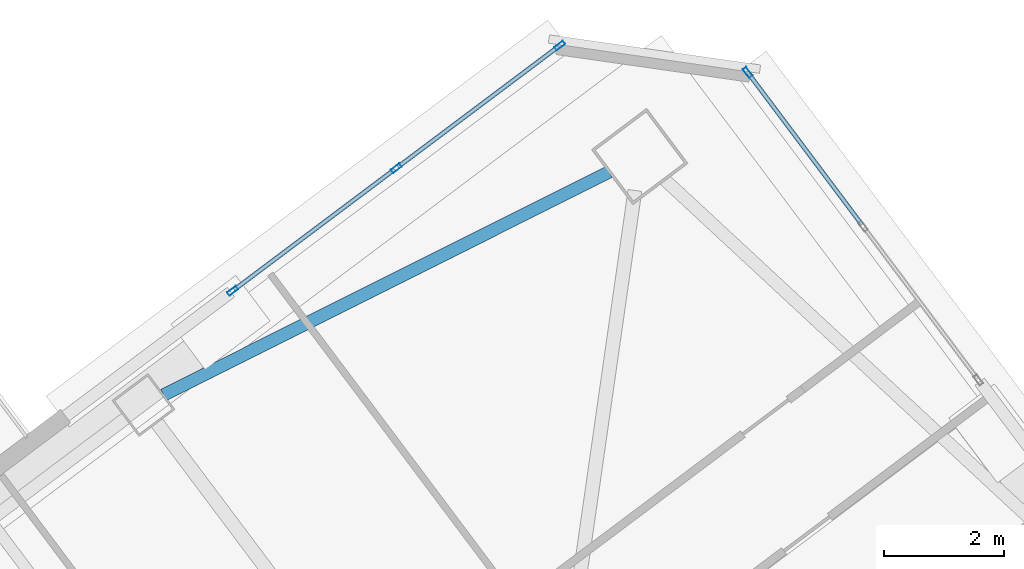
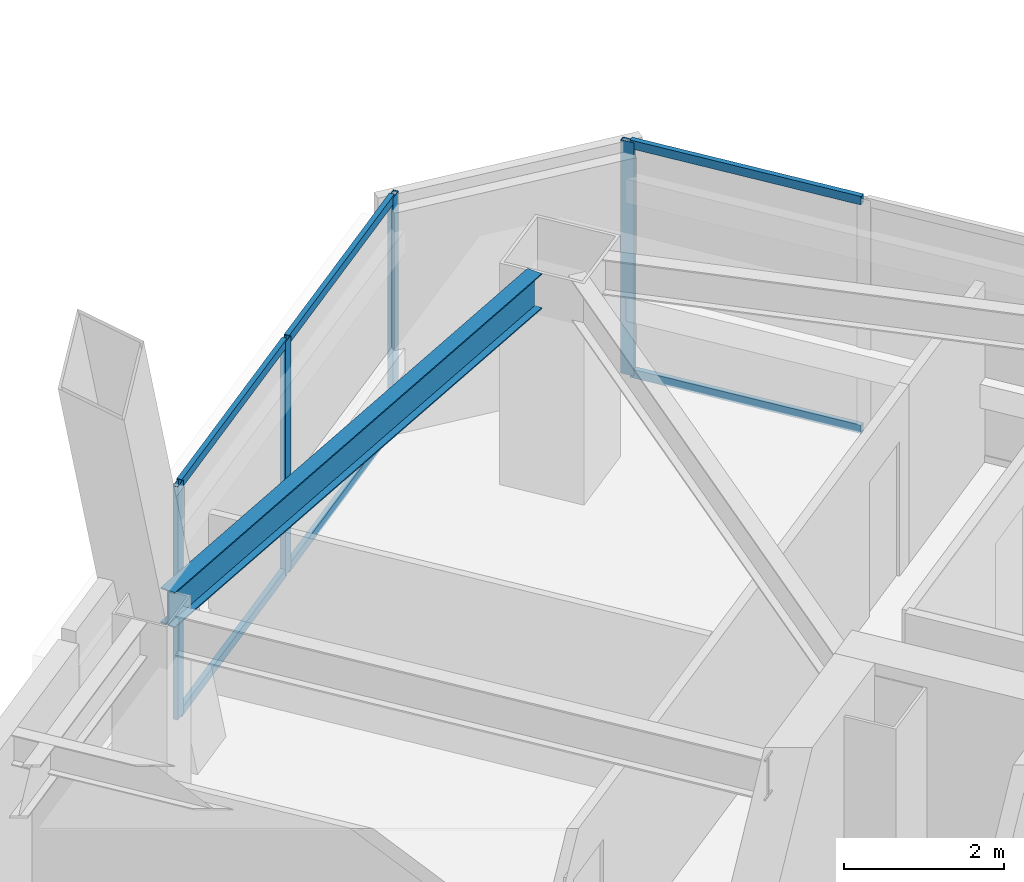
# One storey, part 40 of 55: 10 members, 1 beam, 2 elements without a shape of their own.
"""IFC4 building model written with IfcOpenShell, lengths in metres."""

from ifc_helpers import new_model, si_unit, direction, frame, origin, origin_2d, place, context, subcontext, project, spatial, hollow_rectangle, i_section, extrude, material, material_profile, profile_set, type_object, element, aggregate, save


model = new_model("IFC4")

# Units and contexts
model_context = context("Model", 3, precision=1e-05, world=origin(), true_north=direction((0.0, 1.0)))
body_context = subcontext(model_context, "Body", "Model", "MODEL_VIEW")
ifc_project = project(units=[si_unit("LENGTHUNIT", "METRE"), si_unit("AREAUNIT", "SQUARE_METRE"), si_unit("VOLUMEUNIT", "CUBIC_METRE"), si_unit("PLANEANGLEUNIT", "RADIAN"), si_unit("MASSUNIT", "GRAM", prefix="KILO")], contexts=[model_context])

# Site, building, storey
site_placement = place(None, origin())
site = spatial("IfcSite", under=ifc_project, at=site_placement, CompositionType="ELEMENT")
building_placement = place(site_placement, origin())
building = spatial("IfcBuilding", under=site, at=building_placement, Name="Tashvorn Skyway Center", CompositionType="ELEMENT")
storey_placement = place(building_placement, frame((0.0, 0.0, 178.300048828125)))
storey = spatial("IfcBuildingStorey", under=building, at=storey_placement, Name="L48", CompositionType="ELEMENT", Elevation=178.300048828125)

# Beam
ifc_material_1 = material(Name="Steel ASTM A992 Grade 50", Category="steel")
ifc_material_profile_1 = material_profile(ifc_material_1, i_section(OverallWidth=0.2109375, OverallDepth=0.5390625, WebThickness=0.01171875, FlangeThickness=0.018798828125, at=origin_2d()), Name="W21X73")
ifc_profile_set_1 = profile_set([ifc_material_profile_1], Name="Steel ASTM A992 Grade 50")
beam_type = type_object("IfcBeamType", Name="BM-SPANDREL-W21X73", PredefinedType="SPANDREL", material=ifc_profile_set_1)
beam_placement = place(storey_placement, frame((116.390380859375, 52.044921875, 3.100341796875), z_axis=(-0.894209637559, -0.447648438059, 0.0), x_axis=(0.447648438059, -0.894209637559, 0.0)))
element("IfcBeam", 1, at=beam_placement, inside=storey, type_object=beam_type, Name="Tower 2 L48 Spandrel Beam 07", PredefinedType="SPANDREL", context=body_context, shape_type="SweptSolid", body=[
    extrude(i_section(OverallWidth=0.2109375, OverallDepth=0.5390625, WebThickness=0.01171875, FlangeThickness=0.018798828125, at=origin_2d()), origin(), (0.0, 0.0, 1.0), 8.308349609375),
])

# Curtain wall, members
ifc_material_2 = material(Name="Thermally broken bronze-anodized aluminium 6063-T6", Category="aluminium")
curtain_wall_type = type_object("IfcCurtainWallType", Name="CW-CW-Z4", PredefinedType="NOTDEFINED", material=ifc_material_2)
curtain_wall_1_placement = place(storey_placement, origin())
curtain_wall_1 = element("IfcCurtainWall", 2, at=curtain_wall_1_placement, inside=storey, type_object=curtain_wall_type, Name="Tower 2 L48 North Curtain Wall R Glazing Group 1", PredefinedType="NOTDEFINED")
ifc_material_profile_2 = material_profile(ifc_material_2, hollow_rectangle(XDim=0.070068359375, YDim=0.179931640625, WallThickness=0.00390625, at=origin_2d()), Name="ALU-MULL-70x180")
ifc_profile_set_2 = profile_set([ifc_material_profile_2], Name="Thermally broken bronze-anodized aluminium 6063-T6")
member_type_1 = type_object("IfcMemberType", Name="CWM-CW-Z4", PredefinedType="MULLION", material=ifc_profile_set_2)
member_1_placement = place(storey_placement, frame((110.11474609375, 50.06103515625, 0.0), z_axis=(0.0, 0.0, 1.0), x_axis=(-0.60000232334, 0.79999825749, 0.0)))
member_1 = element("IfcMember", 3, at=member_1_placement, type_object=member_type_1, Name="CW-Z4 mullion 1", PredefinedType="MULLION", context=body_context, shape_type="SweptSolid", body=[
    extrude(hollow_rectangle(XDim=0.070068359375, YDim=0.179931640625, WallThickness=0.00390625, at=origin_2d()), origin(), (0.0, 0.0, 1.0), 3.550048828125),
])
member_2_placement = place(storey_placement, frame((112.84130859375, 52.10595703125, 0.0), z_axis=(0.0, 0.0, 1.0), x_axis=(-0.60000232334, 0.79999825749, 0.0)))
member_2 = element("IfcMember", 4, at=member_2_placement, type_object=member_type_1, Name="CW-Z4 mullion 2", PredefinedType="MULLION", context=body_context, shape_type="SweptSolid", body=[
    extrude(hollow_rectangle(XDim=0.070068359375, YDim=0.179931640625, WallThickness=0.00390625, at=origin_2d()), origin(), (0.0, 0.0, 1.0), 3.550048828125),
])
member_3_placement = place(storey_placement, frame((115.568115234375, 54.15087890625, 0.0), z_axis=(0.0, 0.0, 1.0), x_axis=(-0.60000232334, 0.79999825749, 0.0)))
member_3 = element("IfcMember", 5, at=member_3_placement, type_object=member_type_1, Name="CW-Z4 mullion 3", PredefinedType="MULLION", context=body_context, shape_type="SweptSolid", body=[
    extrude(hollow_rectangle(XDim=0.070068359375, YDim=0.179931640625, WallThickness=0.00390625, at=origin_2d()), origin(), (0.0, 0.0, 1.0), 3.550048828125),
])

# Curtain wall, member
curtain_wall_2_placement = place(storey_placement, origin())
curtain_wall_2 = element("IfcCurtainWall", 6, at=curtain_wall_2_placement, inside=storey, type_object=curtain_wall_type, Name="Tower 2 L48 East Unitised Curtain Wall Glazing Group 1", PredefinedType="NOTDEFINED")
member_4_placement = place(storey_placement, frame((118.697021484375, 53.7041015625, 0.0), z_axis=(0.0, 0.0, 1.0), x_axis=(0.799999999998, 0.600000000002, 0.0)))
member_4 = element("IfcMember", 7, at=member_4_placement, type_object=member_type_1, Name="CW-Z4 mullion 1", PredefinedType="MULLION", context=body_context, shape_type="SweptSolid", body=[
    extrude(hollow_rectangle(XDim=0.070068359375, YDim=0.179931640625, WallThickness=0.00390625, at=origin_2d()), origin(), (0.0, 0.0, 1.0), 3.550048828125),
])

# Member
ifc_material_profile_3 = material_profile(ifc_material_2, hollow_rectangle(XDim=0.070068359375, YDim=0.1298828125, WallThickness=0.00390625, at=origin_2d()), Name="ALU-TRAN-70x130")
ifc_profile_set_3 = profile_set([ifc_material_profile_3], Name="Thermally broken bronze-anodized aluminium 6063-T6")
member_type_2 = type_object("IfcMemberType", Name="CWT-CW-Z4", PredefinedType="USERDEFINED", material=ifc_profile_set_3)
member_5_placement = place(storey_placement, frame((110.142578125, 50.08203125, 0.034912109375), z_axis=(0.80000877595, 0.599988298555, 0.0), x_axis=(-0.599988298555, 0.80000877595, 0.0)))
member_5 = element("IfcMember", 8, at=member_5_placement, type_object=member_type_2, Name="CW-Z4 transom 1.1", ObjectType="TRANSOM", PredefinedType="USERDEFINED", context=body_context, shape_type="SweptSolid", body=[
    extrude(hollow_rectangle(XDim=0.070068359375, YDim=0.1298828125, WallThickness=0.00390625, at=origin_2d()), origin(), (0.0, 0.0, 1.0), 3.33837890625),
])

member_6_placement = place(storey_placement, frame((110.142578125, 50.08203125, 3.514892578125), z_axis=(0.80000877595, 0.599988298555, 0.0), x_axis=(-0.599988298555, 0.80000877595, 0.0)))
member_6 = element("IfcMember", 9, at=member_6_placement, type_object=member_type_2, Name="CW-Z4 transom 1.2", ObjectType="TRANSOM", PredefinedType="USERDEFINED", context=body_context, shape_type="SweptSolid", body=[
    extrude(hollow_rectangle(XDim=0.070068359375, YDim=0.1298828125, WallThickness=0.00390625, at=origin_2d()), origin(), (0.0, 0.0, 1.0), 3.33837890625),
])

member_7_placement = place(storey_placement, frame((112.869384765625, 52.126953125, 0.034912109375), z_axis=(0.80000877595, 0.599988298555, 0.0), x_axis=(-0.599988298555, 0.80000877595, 0.0)))
member_7 = element("IfcMember", 10, at=member_7_placement, type_object=member_type_2, Name="CW-Z4 transom 2.1", ObjectType="TRANSOM", PredefinedType="USERDEFINED", context=body_context, shape_type="SweptSolid", body=[
    extrude(hollow_rectangle(XDim=0.070068359375, YDim=0.1298828125, WallThickness=0.00390625, at=origin_2d()), origin(), (0.0, 0.0, 1.0), 3.33837890625),
])

member_8_placement = place(storey_placement, frame((112.869384765625, 52.126953125, 3.514892578125), z_axis=(0.80000877595, 0.599988298555, 0.0), x_axis=(-0.599988298555, 0.80000877595, 0.0)))
member_8 = element("IfcMember", 11, at=member_8_placement, type_object=member_type_2, Name="CW-Z4 transom 2.2", ObjectType="TRANSOM", PredefinedType="USERDEFINED", context=body_context, shape_type="SweptSolid", body=[
    extrude(hollow_rectangle(XDim=0.070068359375, YDim=0.1298828125, WallThickness=0.00390625, at=origin_2d()), origin(), (0.0, 0.0, 1.0), 3.33837890625),
])

aggregate(curtain_wall_1, [member_1, member_2, member_3, member_5, member_6, member_7, member_8])

member_9_placement = place(storey_placement, frame((118.718017578125, 53.676025390625, 0.034912109375), z_axis=(0.600012459628, -0.799990655127, 0.0), x_axis=(0.799990655127, 0.600012459628, 0.0)))
member_9 = element("IfcMember", 12, at=member_9_placement, type_object=member_type_2, Name="CW-Z4 transom 1.1", ObjectType="TRANSOM", PredefinedType="USERDEFINED", context=body_context, shape_type="SweptSolid", body=[
    extrude(hollow_rectangle(XDim=0.070068359375, YDim=0.1298828125, WallThickness=0.00390625, at=origin_2d()), origin(), (0.0, 0.0, 1.0), 3.135009765625),
])

member_10_placement = place(storey_placement, frame((118.718017578125, 53.676025390625, 3.514892578125), z_axis=(0.600012459628, -0.799990655127, 0.0), x_axis=(0.799990655127, 0.600012459628, 0.0)))
member_10 = element("IfcMember", 13, at=member_10_placement, type_object=member_type_2, Name="CW-Z4 transom 1.2", ObjectType="TRANSOM", PredefinedType="USERDEFINED", context=body_context, shape_type="SweptSolid", body=[
    extrude(hollow_rectangle(XDim=0.070068359375, YDim=0.1298828125, WallThickness=0.00390625, at=origin_2d()), origin(), (0.0, 0.0, 1.0), 3.135009765625),
])

aggregate(curtain_wall_2, [member_4, member_9, member_10])

save(model, "model.ifc")
